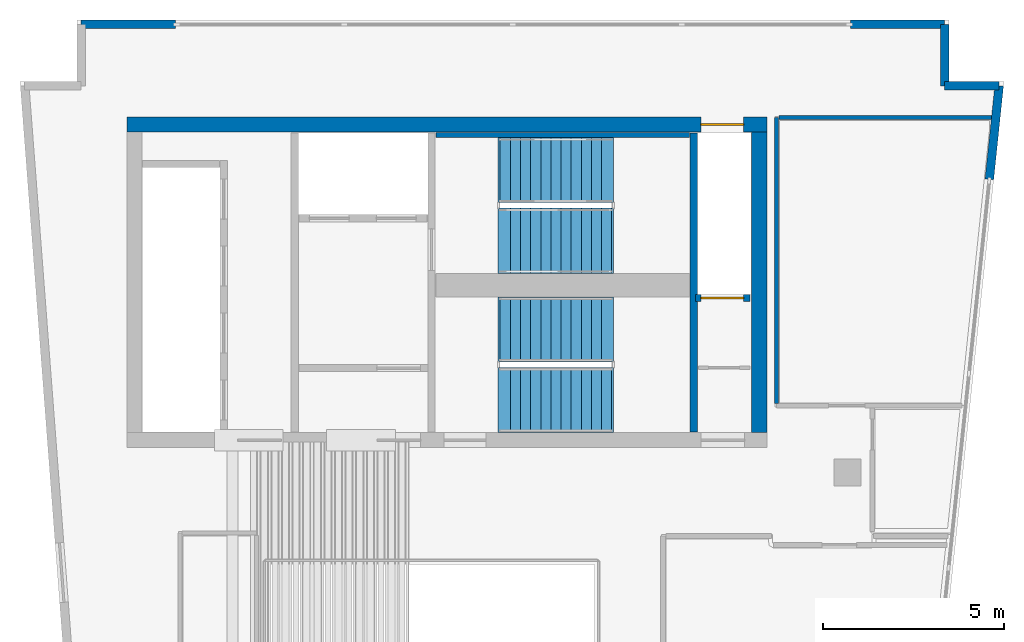
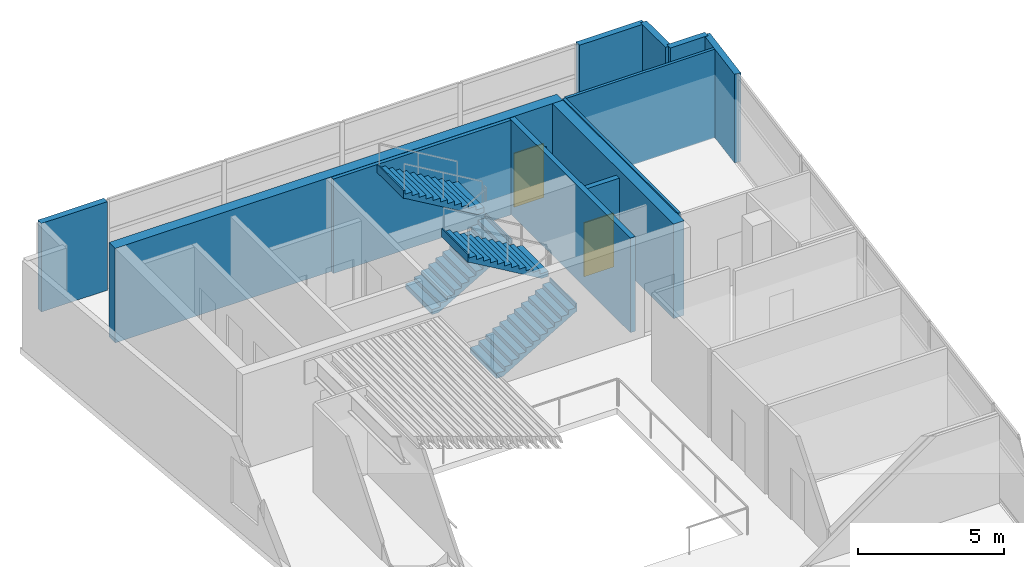
# One storey, part 4 of 6: 12 walls, 4 stair flights, 2 doors, 2 openings, 2 elements without a shape of their own.
"""IFC4 building model written with IfcOpenShell, lengths in metres."""

from ifc_helpers import new_model, si_unit, direction, frame, frame_2d, origin, place, context, subcontext, project, spatial, polyline, rectangle, outline, extrude, material, layer, layer_set, type_object, element, fill, aggregate, save


model = new_model("IFC4")

# Units and contexts
model_context = context("Model", 3, precision=1e-05, world=origin(), true_north=direction((0.0, 1.0)))
body_context = subcontext(model_context, "Body", "Model", "MODEL_VIEW")
ifc_project = project(units=[si_unit("LENGTHUNIT", "METRE"), si_unit("AREAUNIT", "SQUARE_METRE"), si_unit("VOLUMEUNIT", "CUBIC_METRE"), si_unit("PLANEANGLEUNIT", "RADIAN"), si_unit("MASSUNIT", "GRAM", prefix="KILO")], contexts=[model_context])

# Site, building, storey
site_placement = place(None, origin())
site = spatial("IfcSite", under=ifc_project, at=site_placement, CompositionType="ELEMENT")
building_placement = place(site_placement, origin())
building = spatial("IfcBuilding", under=site, at=building_placement, Name="Caeloran Harvest Quay", CompositionType="ELEMENT")
storey_placement = place(building_placement, frame((0.0, 0.0, 296.199951171875)))
storey = spatial("IfcBuildingStorey", under=building, at=storey_placement, Name="L71", CompositionType="ELEMENT", Elevation=296.199951171875)

# Walls
ifc_material_1 = material(Name="Precast concrete C50/60", Category="concrete")
ifc_layer_1 = layer(ifc_material_1, 0.239990234375, Name="Precast concrete C50/60")
ifc_layer_set_1 = layer_set([ifc_layer_1], Name="Precast concrete C50/60")
wall_type_1 = type_object("IfcWallType", Name="ENV-WALL-EW-240", PredefinedType="STANDARD", material=ifc_layer_set_1)
for number, where, z_axis, x_axis, name in (
    (1, (4.320068359375, 43.3798828125, 0.0), (0.0, 0.0, 1.0), (1.0, 0.0, 0.0), "L71 Exterior Facade Corner Pier Wall 6A"),
    (2, (25.580078125, 43.3798828125, 0.0), (0.0, 0.0, 1.0), (1.0, 0.0, 0.0), "L71 Exterior Facade Corner Pier Wall 6B"),
):
    element("IfcWall", number, at=place(storey_placement, frame(where, z_axis=z_axis, x_axis=x_axis)), inside=storey, type_object=wall_type_1, Name=name, PredefinedType="STANDARD", context=body_context, shape_type="SweptSolid", body=[
        extrude(rectangle(XDim=2.599853515625, YDim=0.239990234375, at=frame_2d((1.2998046875, 0.0))), origin(), (0.0, 0.0, 1.0), 3.699951171875),
    ])
wall_1_placement = place(storey_placement, frame((28.179931640625, 43.3798828125, 0.0), z_axis=(0.0, 0.0, 1.0), x_axis=(0.0, -1.0, 0.0)))
element("IfcWall", 3, at=wall_1_placement, inside=storey, type_object=wall_type_1, Name="L71 Exterior Precast Concrete Facade Wall 7", PredefinedType="STANDARD", context=body_context, shape_type="SweptSolid", body=[
    extrude(rectangle(XDim=1.699951171875, YDim=0.239990234375, at=frame_2d((0.85009765625, 0.0))), origin(), (0.0, 0.0, 1.0), 3.699951171875),
])
wall_2_placement = place(storey_placement, frame((28.179931640625, 41.679931640625, 0.0), z_axis=(0.0, 0.0, 1.0), x_axis=(1.0, 0.0, 0.0)))
element("IfcWall", 4, at=wall_2_placement, inside=storey, type_object=wall_type_1, Name="L71 Exterior Precast Concrete Facade Wall 8", PredefinedType="STANDARD", context=body_context, shape_type="SweptSolid", body=[
    extrude(rectangle(XDim=1.508056640625, YDim=0.239990234375, at=frame_2d((0.75390625, 0.0))), origin(), (0.0, 0.0, 1.0), 3.699951171875),
])
wall_3_placement = place(storey_placement, frame((29.68798828125, 41.679931640625, 0.0), z_axis=(0.0, 0.0, 1.0), x_axis=(-0.104420821624, -0.994533203071, 0.0)))
element("IfcWall", 5, at=wall_3_placement, inside=storey, type_object=wall_type_1, Name="L71 Exterior Facade Corner Pier Wall 9A", PredefinedType="STANDARD", context=body_context, shape_type="SweptSolid", body=[
    extrude(rectangle(XDim=2.599853515625, YDim=0.239990234375, at=frame_2d((1.2998046875, 0.0))), origin(), (0.0, 0.0, 1.0), 3.699951171875),
])
ifc_material_2 = material(Name="Single-Stud Acoustic Gypsum Office Partition", Category="gypsum")
ifc_layer_2 = layer(ifc_material_2, 0.112060546875, Name="Single-Stud Acoustic Gypsum Office Partition")
ifc_layer_set_2 = layer_set([ifc_layer_2], Name="Single-Stud Acoustic Gypsum Office Partition")
wall_type_2 = type_object("IfcWallType", Name="INT-WALL-PW-112", PredefinedType="PARTITIONING", material=ifc_layer_set_2)
wall_4_placement = place(storey_placement, frame((23.5400390625, 32.90087890625, 0.0), z_axis=(0.0, 0.0, 1.0), x_axis=(0.0, 1.0, 0.0)))
element("IfcWall", 6, at=wall_4_placement, inside=storey, type_object=wall_type_2, Name="L71 Bioinformatics and Crop Phenotyping Laboratory Partition Wall", PredefinedType="PARTITIONING", context=body_context, shape_type="SweptSolid", body=[
    extrude(rectangle(XDim=7.899169921875, YDim=0.112060546875, at=frame_2d((3.94970703125, 0.0))), origin(), (0.0, 0.0, 1.0), 3.699951171875),
])
wall_5_placement = place(storey_placement, frame((23.60107421875, 40.800048828125, 0.0), z_axis=(0.0, 0.0, 1.0), x_axis=(1.0, 0.0, 0.0)))
element("IfcWall", 7, at=wall_5_placement, inside=storey, type_object=wall_type_2, Name="L71 Bioinformatics and Crop Phenotyping Laboratory Partition Wall", PredefinedType="PARTITIONING", context=body_context, shape_type="SweptSolid", body=[
    extrude(rectangle(XDim=5.868896484375, YDim=0.112060546875, at=frame_2d((2.9345703125, 0.0))), origin(), (0.0, 0.0, 1.0), 3.699951171875),
])

# Wall, opening, door
ifc_material_3 = material(Name="Concrete C50/60", Category="concrete")
ifc_layer_3 = layer(ifc_material_3, 0.199951171875, Name="Concrete C50/60")
ifc_layer_set_3 = layer_set([ifc_layer_3], Name="Concrete C50/60")
wall_type_3 = type_object("IfcWallType", Name="INT-WALL-SW-200", PredefinedType="PARTITIONING", material=ifc_layer_set_3)
wall_6_placement = place(storey_placement, frame((21.300048828125, 35.820068359375, 0.0), z_axis=(0.0, 0.0, 1.0), x_axis=(1.0, 0.0, 0.0)))
wall_6 = element("IfcWall", 8, at=wall_6_placement, inside=storey, type_object=wall_type_3, Name="L71 Service Lift SV-2 Shaft Wall", PredefinedType="PARTITIONING", context=body_context, shape_type="SweptSolid", body=[
    extrude(rectangle(XDim=1.5, YDim=0.199951171875, at=frame_2d((0.75, 0.0))), origin(), (0.0, 0.0, 1.0), 3.699951171875),
])
opening_1_placement = place(wall_6_placement, frame((0.14501953125, 0.0, 0.0)))
opening_1 = element("IfcOpeningElement", 9, at=opening_1_placement, cuts=wall_6, Name="Opening LD-02", PredefinedType="OPENING", context=body_context, shape_type="SweptSolid", body=[
    extrude(rectangle(XDim=1.179931640625, YDim=2.25, at=frame_2d((0.58984375, 1.125))), frame((0.0, 0.10986328125, 0.0), z_axis=(0.0, -1.0, 0.0), x_axis=(1.0, 0.0, 0.0)), (0.0, 0.0, 1.0), 0.219970703125),
])
ifc_material_4 = material(Name="Stainless Steel Grade 316", Category="steel")
door_type = type_object("IfcDoorType", Name="INTDOOR-LD-02", OperationType="NOTDEFINED", PredefinedType="DOOR", material=ifc_material_4)
door_1_placement = place(opening_1_placement, origin())
door_1 = element("IfcDoor", 10, at=door_1_placement, inside=storey, type_object=door_type, Name="Lift SV-2 Sliding Landing Door (L71)", OperationType="DOUBLE_DOOR_SLIDING", OverallHeight=2.25, OverallWidth=1.179931640625, PredefinedType="DOOR", context=body_context, shape_type="SweptSolid", body=[
    extrude(rectangle(XDim=1.179931640625, YDim=2.25, at=frame_2d((0.58984375, 1.125))), frame((0.0, 0.02490234375, 0.0), z_axis=(0.0, -1.0, 0.0), x_axis=(1.0, 0.0, 0.0)), (0.0, 0.0, 1.0), 0.050048828125),
])
fill(opening_1, door_1)

ifc_material_5 = material(Name="Concrete C60/75", Category="concrete")
ifc_layer_4 = layer(ifc_material_5, 0.419921875, Name="Concrete C60/75")
ifc_layer_set_4 = layer_set([ifc_layer_4], Name="Concrete C60/75")
wall_type_4 = type_object("IfcWallType", Name="STR-WALL-CW-420", PredefinedType="SHEAR", material=ifc_layer_set_4)
wall_7_placement = place(storey_placement, frame((5.580078125, 40.610107421875, 0.0), z_axis=(0.0, 0.0, 1.0), x_axis=(1.0, 0.0, 0.0)))
wall_7 = element("IfcWall", 11, at=wall_7_placement, inside=storey, type_object=wall_type_4, Name="L71 Rear Core Shear Wall N", PredefinedType="SHEAR", context=body_context, shape_type="SweptSolid", body=[
    extrude(rectangle(XDim=17.68994140625, YDim=0.419921875, at=frame_2d((8.844970703125, 0.0))), origin(), (0.0, 0.0, 1.0), 3.949951171875),
])
opening_2_placement = place(wall_7_placement, frame((15.864990234375, 0.0, 0.0)))
opening_2 = element("IfcOpeningElement", 12, at=opening_2_placement, cuts=wall_7, Name="Opening LD-02", PredefinedType="OPENING", context=body_context, shape_type="SweptSolid", body=[
    extrude(rectangle(XDim=1.179931640625, YDim=2.25, at=frame_2d((0.58984375, 1.125))), frame((0.0, 0.219970703125, 0.0), z_axis=(0.0, -1.0, 0.0), x_axis=(1.0, 0.0, 0.0)), (0.0, 0.0, 1.0), 0.43994140625),
])
door_2_placement = place(opening_2_placement, origin())
door_2 = element("IfcDoor", 13, at=door_2_placement, inside=storey, type_object=door_type, Name="Lift SV-1 Sliding Landing Door (L71)", OperationType="DOUBLE_DOOR_SLIDING", OverallHeight=2.25, OverallWidth=1.179931640625, PredefinedType="DOOR", context=body_context, shape_type="SweptSolid", body=[
    extrude(rectangle(XDim=1.179931640625, YDim=2.25, at=frame_2d((0.58984375, 1.125))), frame((0.0, 0.02490234375, 0.0), z_axis=(0.0, -1.0, 0.0), x_axis=(1.0, 0.0, 0.0)), (0.0, 0.0, 1.0), 0.050048828125),
])
fill(opening_2, door_2)

# Walls
wall_8_placement = place(storey_placement, frame((23.06005859375, 32.10009765625, 0.0), z_axis=(0.0, 0.0, 1.0), x_axis=(0.0, 1.0, 0.0)))
element("IfcWall", 14, at=wall_8_placement, inside=storey, type_object=wall_type_4, Name="L71 Rear Core Shear Wall E", PredefinedType="SHEAR", context=body_context, shape_type="SweptSolid", body=[
    extrude(rectangle(XDim=8.2998046875, YDim=0.419921875, at=frame_2d((4.14990234375, 0.0))), origin(), (0.0, 0.0, 1.0), 3.949951171875),
])
ifc_layer_5 = layer(ifc_material_5, 0.139892578125, Name="Concrete C60/75")
ifc_layer_set_5 = layer_set([ifc_layer_5], Name="Concrete C60/75")
wall_type_5 = type_object("IfcWallType", Name="STR-WALL-SW-140", PredefinedType="SHEAR", material=ifc_layer_set_5)
wall_9_placement = place(storey_placement, frame((14.1201171875, 40.320068359375, 0.0), z_axis=(0.0, 0.0, 1.0), x_axis=(1.0, 0.0, 0.0)))
element("IfcWall", 15, at=wall_9_placement, inside=storey, type_object=wall_type_5, Name="L71 Core Stair ST-C1 North Bearing Shear Wall", PredefinedType="SHEAR", context=body_context, shape_type="SweptSolid", body=[
    extrude(rectangle(XDim=7.009765625, YDim=0.139892578125, at=frame_2d((3.5048828125, 0.0))), origin(), (0.0, 0.0, 1.0), 3.949951171875),
])
ifc_layer_6 = layer(ifc_material_5, 0.199951171875, Name="Concrete C60/75")
ifc_layer_set_6 = layer_set([ifc_layer_6], Name="Concrete C60/75")
wall_type_6 = type_object("IfcWallType", Name="STR-WALL-SW-200", PredefinedType="SHEAR", material=ifc_layer_set_6)
wall_10_placement = place(storey_placement, frame((21.25, 32.1201171875, 0.0), z_axis=(0.0, 0.0, 1.0), x_axis=(0.0, 1.0, 0.0)))
element("IfcWall", 16, at=wall_10_placement, inside=storey, type_object=wall_type_6, Name="L71 Core Stair Shaft East Shear Wall", PredefinedType="SHEAR", context=body_context, shape_type="SweptSolid", body=[
    extrude(rectangle(XDim=8.259765625, YDim=0.199951171875, at=frame_2d((4.1298828125, 0.0))), origin(), (0.0, 0.0, 1.0), 3.949951171875),
])

# Stair, stair flights
stair_type = type_object("IfcStairType", Name="STAIR-STC-180", PredefinedType="HALF_TURN_STAIR", material=ifc_material_3)
stair_1_placement = place(storey_placement, origin())
stair_1 = element("IfcStair", 17, at=stair_1_placement, inside=storey, type_object=stair_type, Name="L71 Core Pressurized Exit Stair ST-C1", PredefinedType="HALF_TURN_STAIR")
stair_flight_type = type_object("IfcStairFlightType", Name="FLIGHT-STC-180", PredefinedType="STRAIGHT", material=ifc_material_3)
stair_flight_1_placement = place(storey_placement, frame((15.89990234375, 37.39990234375, 0.0), z_axis=(0.0, 0.0, 1.0), x_axis=(1.0, 0.0, 0.0)))
stair_flight_1 = element("IfcStairFlight", 18, at=stair_flight_1_placement, type_object=stair_flight_type, Name="ST-C1 flight 1", NumberOfRisers=12, NumberOfTreads=11, PredefinedType="STRAIGHT", RiserHeight=0.164583333, TreadLength=0.28, context=body_context, shape_type="SweptSolid", body=[
    extrude(outline(polyline([(-0.054931640625, -0.044921875), (-0.054931640625, -0.031982421875), (-0.054931640625, -0.018798828125), (-0.054931640625, -0.005615234375), (-0.054931640625, 0.00732421875), (-0.054931640625, 0.0205078125), (-0.054931640625, 0.03369140625), (-0.054931640625, 0.046630859375), (-0.054931640625, 0.059814453125), (-0.054931640625, 0.072998046875), (-0.054931640625, 0.0859375), (-0.054931640625, 0.09912109375), (-0.054931640625, 0.1123046875), (-0.054931640625, 0.125244140625), (-0.054931640625, 0.138427734375), (-0.054931640625, 0.1513671875), (-0.054931640625, 0.16455078125), (0.280029296875, 0.16455078125), (0.280029296875, 0.3291015625), (0.56005859375, 0.3291015625), (0.56005859375, 0.49365234375), (0.840087890625, 0.49365234375), (0.840087890625, 0.658447265625), (1.1201171875, 0.658447265625), (1.1201171875, 0.822998046875), (1.39990234375, 0.822998046875), (1.39990234375, 0.987548828125), (1.679931640625, 0.987548828125), (1.679931640625, 1.152099609375), (1.9599609375, 1.152099609375), (1.9599609375, 1.316650390625), (2.239990234375, 1.316650390625), (2.239990234375, 1.481201171875), (2.52001953125, 1.481201171875), (2.52001953125, 1.645751953125), (2.800048828125, 1.645751953125), (2.800048828125, 1.810302734375), (3.080078125, 1.810302734375), (3.080078125, 1.97509765625), (3.135009765625, 1.97509765625), (3.135009765625, 1.953857421875), (3.135009765625, 1.9326171875), (3.135009765625, 1.91162109375), (3.135009765625, 1.890380859375), (3.135009765625, 1.869140625), (3.135009765625, 1.84814453125), (3.135009765625, 1.826904296875), (3.135009765625, 1.8056640625), (3.135009765625, 1.78466796875), (3.135009765625, 1.763427734375), (3.135009765625, 1.7421875), (3.135009765625, 1.72119140625), (3.135009765625, 1.699951171875), (3.135009765625, 1.678955078125), (3.135009765625, 1.65771484375), (3.135009765625, 1.636474609375), (3.080078125, 1.636474609375), (0.21923828125, -0.044921875), (-0.054931640625, -0.044921875)])), frame((0.0, 0.89990234375, 0.0), z_axis=(0.0, -1.0, 0.0), x_axis=(1.0, 0.0, 0.0)), (0.0, 0.0, 1.0), 1.800048828125),
])
stair_flight_2_placement = place(storey_placement, frame((18.97998046875, 39.35009765625, 1.97509765625), z_axis=(0.0, 0.0, 1.0), x_axis=(-1.0, 0.0, 0.0)))
stair_flight_2 = element("IfcStairFlight", 19, at=stair_flight_2_placement, type_object=stair_flight_type, Name="ST-C1 flight 2", NumberOfRisers=12, NumberOfTreads=11, PredefinedType="STRAIGHT", RiserHeight=0.164583333, TreadLength=0.28, context=body_context, shape_type="SweptSolid", body=[
    extrude(outline(polyline([(-0.054931640625, -0.044921875), (-0.054931640625, -0.031982421875), (-0.054931640625, -0.018798828125), (-0.054931640625, -0.005615234375), (-0.054931640625, 0.00732421875), (-0.054931640625, 0.0205078125), (-0.054931640625, 0.03369140625), (-0.054931640625, 0.046630859375), (-0.054931640625, 0.059814453125), (-0.054931640625, 0.072998046875), (-0.054931640625, 0.0859375), (-0.054931640625, 0.09912109375), (-0.054931640625, 0.1123046875), (-0.054931640625, 0.125244140625), (-0.054931640625, 0.138427734375), (-0.054931640625, 0.1513671875), (-0.054931640625, 0.16455078125), (0.280029296875, 0.16455078125), (0.280029296875, 0.3291015625), (0.56005859375, 0.3291015625), (0.56005859375, 0.49365234375), (0.840087890625, 0.49365234375), (0.840087890625, 0.658447265625), (1.1201171875, 0.658447265625), (1.1201171875, 0.822998046875), (1.39990234375, 0.822998046875), (1.39990234375, 0.987548828125), (1.679931640625, 0.987548828125), (1.679931640625, 1.152099609375), (1.9599609375, 1.152099609375), (1.9599609375, 1.316650390625), (2.239990234375, 1.316650390625), (2.239990234375, 1.481201171875), (2.52001953125, 1.481201171875), (2.52001953125, 1.645751953125), (2.800048828125, 1.645751953125), (2.800048828125, 1.810302734375), (3.080078125, 1.810302734375), (3.080078125, 1.97509765625), (3.135009765625, 1.97509765625), (3.135009765625, 1.953857421875), (3.135009765625, 1.9326171875), (3.135009765625, 1.91162109375), (3.135009765625, 1.890380859375), (3.135009765625, 1.869140625), (3.135009765625, 1.84814453125), (3.135009765625, 1.826904296875), (3.135009765625, 1.8056640625), (3.135009765625, 1.78466796875), (3.135009765625, 1.763427734375), (3.135009765625, 1.7421875), (3.135009765625, 1.72119140625), (3.135009765625, 1.699951171875), (3.135009765625, 1.678955078125), (3.135009765625, 1.65771484375), (3.135009765625, 1.636474609375), (3.080078125, 1.636474609375), (0.21923828125, -0.044921875), (-0.054931640625, -0.044921875)])), frame((0.0, 0.89990234375, 0.0), z_axis=(0.0, -1.0, 0.0), x_axis=(1.0, 0.0, 0.0)), (0.0, 0.0, 1.0), 1.800048828125),
])
aggregate(stair_1, [stair_flight_1, stair_flight_2])

stair_2_placement = place(storey_placement, origin())
stair_2 = element("IfcStair", 20, at=stair_2_placement, inside=storey, type_object=stair_type, Name="L71 Core Pressurized Exit Stair ST-C2", PredefinedType="HALF_TURN_STAIR")
stair_flight_3_placement = place(storey_placement, frame((15.89990234375, 33.0, 0.0), z_axis=(0.0, 0.0, 1.0), x_axis=(1.0, 0.0, 0.0)))
stair_flight_3 = element("IfcStairFlight", 21, at=stair_flight_3_placement, type_object=stair_flight_type, Name="ST-C2 flight 1", NumberOfRisers=12, NumberOfTreads=11, PredefinedType="STRAIGHT", RiserHeight=0.164583333, TreadLength=0.28, context=body_context, shape_type="SweptSolid", body=[
    extrude(outline(polyline([(-0.054931640625, -0.044921875), (-0.054931640625, -0.031982421875), (-0.054931640625, -0.018798828125), (-0.054931640625, -0.005615234375), (-0.054931640625, 0.00732421875), (-0.054931640625, 0.0205078125), (-0.054931640625, 0.03369140625), (-0.054931640625, 0.046630859375), (-0.054931640625, 0.059814453125), (-0.054931640625, 0.072998046875), (-0.054931640625, 0.0859375), (-0.054931640625, 0.09912109375), (-0.054931640625, 0.1123046875), (-0.054931640625, 0.125244140625), (-0.054931640625, 0.138427734375), (-0.054931640625, 0.1513671875), (-0.054931640625, 0.16455078125), (0.280029296875, 0.16455078125), (0.280029296875, 0.3291015625), (0.56005859375, 0.3291015625), (0.56005859375, 0.49365234375), (0.840087890625, 0.49365234375), (0.840087890625, 0.658447265625), (1.1201171875, 0.658447265625), (1.1201171875, 0.822998046875), (1.39990234375, 0.822998046875), (1.39990234375, 0.987548828125), (1.679931640625, 0.987548828125), (1.679931640625, 1.152099609375), (1.9599609375, 1.152099609375), (1.9599609375, 1.316650390625), (2.239990234375, 1.316650390625), (2.239990234375, 1.481201171875), (2.52001953125, 1.481201171875), (2.52001953125, 1.645751953125), (2.800048828125, 1.645751953125), (2.800048828125, 1.810302734375), (3.080078125, 1.810302734375), (3.080078125, 1.97509765625), (3.135009765625, 1.97509765625), (3.135009765625, 1.953857421875), (3.135009765625, 1.9326171875), (3.135009765625, 1.91162109375), (3.135009765625, 1.890380859375), (3.135009765625, 1.869140625), (3.135009765625, 1.84814453125), (3.135009765625, 1.826904296875), (3.135009765625, 1.8056640625), (3.135009765625, 1.78466796875), (3.135009765625, 1.763427734375), (3.135009765625, 1.7421875), (3.135009765625, 1.72119140625), (3.135009765625, 1.699951171875), (3.135009765625, 1.678955078125), (3.135009765625, 1.65771484375), (3.135009765625, 1.636474609375), (3.080078125, 1.636474609375), (0.21923828125, -0.044921875), (-0.054931640625, -0.044921875)])), frame((0.0, 0.89990234375, 0.0), z_axis=(0.0, -1.0, 0.0), x_axis=(1.0, 0.0, 0.0)), (0.0, 0.0, 1.0), 1.800048828125),
])
stair_flight_4_placement = place(storey_placement, frame((18.97998046875, 34.949951171875, 1.97509765625), z_axis=(0.0, 0.0, 1.0), x_axis=(-1.0, 0.0, 0.0)))
stair_flight_4 = element("IfcStairFlight", 22, at=stair_flight_4_placement, type_object=stair_flight_type, Name="ST-C2 flight 2", NumberOfRisers=12, NumberOfTreads=11, PredefinedType="STRAIGHT", RiserHeight=0.164583333, TreadLength=0.28, context=body_context, shape_type="SweptSolid", body=[
    extrude(outline(polyline([(-0.054931640625, -0.044921875), (-0.054931640625, -0.031982421875), (-0.054931640625, -0.018798828125), (-0.054931640625, -0.005615234375), (-0.054931640625, 0.00732421875), (-0.054931640625, 0.0205078125), (-0.054931640625, 0.03369140625), (-0.054931640625, 0.046630859375), (-0.054931640625, 0.059814453125), (-0.054931640625, 0.072998046875), (-0.054931640625, 0.0859375), (-0.054931640625, 0.09912109375), (-0.054931640625, 0.1123046875), (-0.054931640625, 0.125244140625), (-0.054931640625, 0.138427734375), (-0.054931640625, 0.1513671875), (-0.054931640625, 0.16455078125), (0.280029296875, 0.16455078125), (0.280029296875, 0.3291015625), (0.56005859375, 0.3291015625), (0.56005859375, 0.49365234375), (0.840087890625, 0.49365234375), (0.840087890625, 0.658447265625), (1.1201171875, 0.658447265625), (1.1201171875, 0.822998046875), (1.39990234375, 0.822998046875), (1.39990234375, 0.987548828125), (1.679931640625, 0.987548828125), (1.679931640625, 1.152099609375), (1.9599609375, 1.152099609375), (1.9599609375, 1.316650390625), (2.239990234375, 1.316650390625), (2.239990234375, 1.481201171875), (2.52001953125, 1.481201171875), (2.52001953125, 1.645751953125), (2.800048828125, 1.645751953125), (2.800048828125, 1.810302734375), (3.080078125, 1.810302734375), (3.080078125, 1.97509765625), (3.135009765625, 1.97509765625), (3.135009765625, 1.953857421875), (3.135009765625, 1.9326171875), (3.135009765625, 1.91162109375), (3.135009765625, 1.890380859375), (3.135009765625, 1.869140625), (3.135009765625, 1.84814453125), (3.135009765625, 1.826904296875), (3.135009765625, 1.8056640625), (3.135009765625, 1.78466796875), (3.135009765625, 1.763427734375), (3.135009765625, 1.7421875), (3.135009765625, 1.72119140625), (3.135009765625, 1.699951171875), (3.135009765625, 1.678955078125), (3.135009765625, 1.65771484375), (3.135009765625, 1.636474609375), (3.080078125, 1.636474609375), (0.21923828125, -0.044921875), (-0.054931640625, -0.044921875)])), frame((0.0, 0.89990234375, 0.0), z_axis=(0.0, -1.0, 0.0), x_axis=(1.0, 0.0, 0.0)), (0.0, 0.0, 1.0), 1.800048828125),
])
aggregate(stair_2, [stair_flight_3, stair_flight_4])

save(model, "model.ifc")
